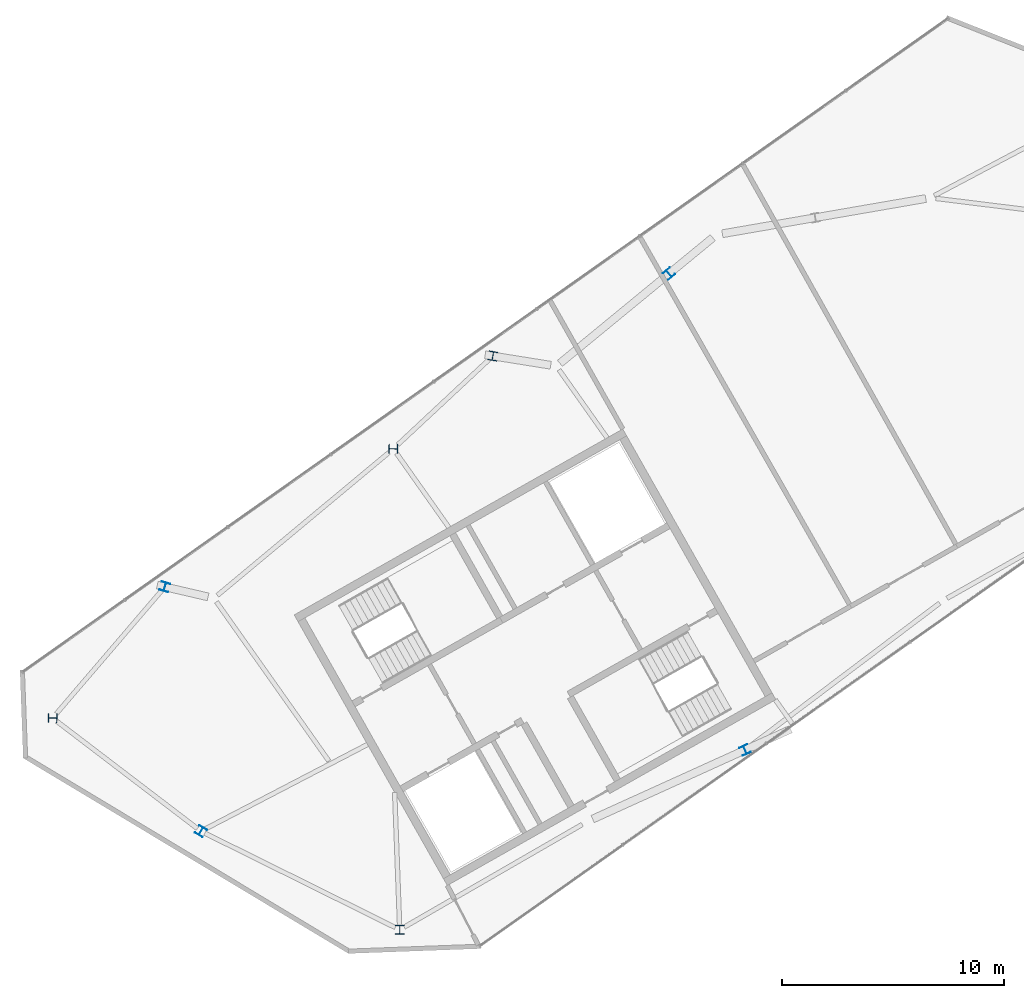
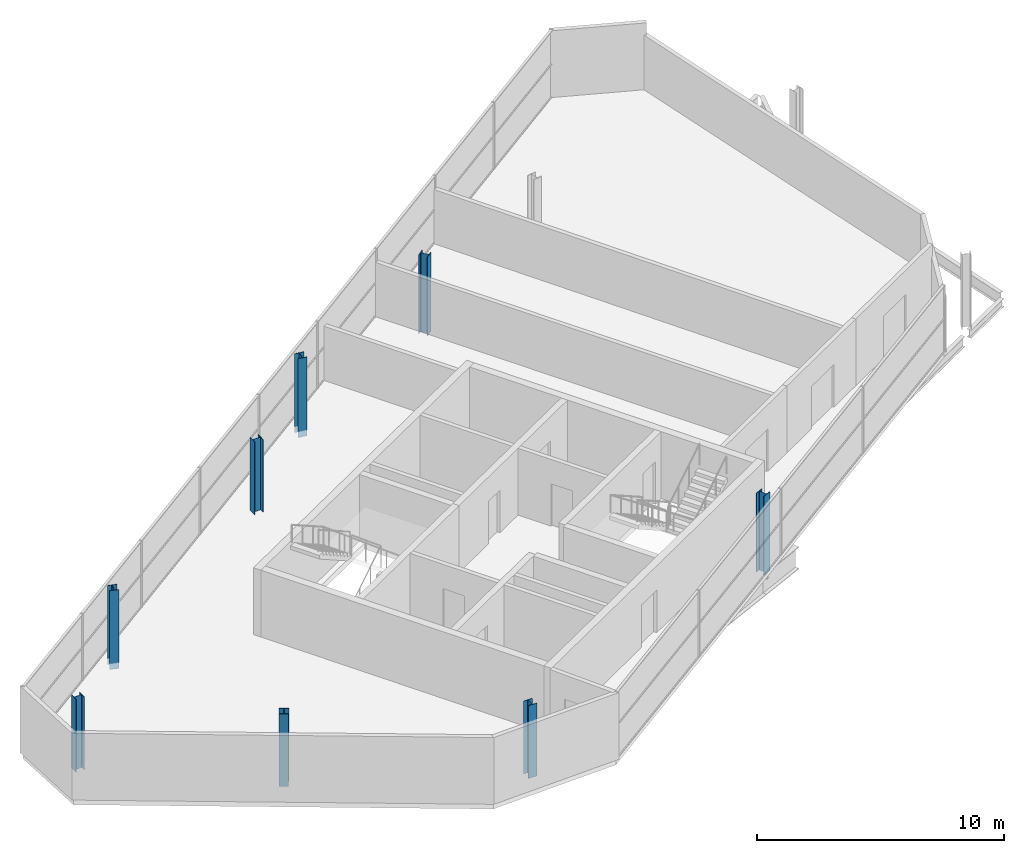
# One storey, part 1 of 11: 8 columns.
"""IFC4 building model written with IfcOpenShell, lengths in metres."""

from ifc_helpers import new_model, si_unit, direction, frame, origin, origin_2d, place, context, subcontext, project, spatial, i_section, extrude, material, material_profile, profile_set, type_object, element, save


model = new_model("IFC4")

# Units and contexts
model_context = context("Model", 3, precision=1e-05, world=origin(), true_north=direction((0.0, 1.0)))
body_context = subcontext(model_context, "Body", "Model", "MODEL_VIEW")
ifc_project = project(units=[si_unit("LENGTHUNIT", "METRE"), si_unit("AREAUNIT", "SQUARE_METRE"), si_unit("VOLUMEUNIT", "CUBIC_METRE"), si_unit("PLANEANGLEUNIT", "RADIAN"), si_unit("MASSUNIT", "GRAM", prefix="KILO")], contexts=[model_context])

# Site, building, storey
site_placement = place(None, origin())
site = spatial("IfcSite", under=ifc_project, at=site_placement, CompositionType="ELEMENT")
building_placement = place(site_placement, origin())
building = spatial("IfcBuilding", under=site, at=building_placement, Name="Binnacle Exchange Tower", CompositionType="ELEMENT")
storey_placement = place(building_placement, frame((0.0, 0.0, 361.300048828125)))
storey = spatial("IfcBuildingStorey", under=building, at=storey_placement, Name="L83", CompositionType="ELEMENT", Elevation=361.300048828125)

# Columns
ifc_material = material(Name="Steel S355 (SHN355)", Category="steel")
ifc_material_profile = material_profile(ifc_material, i_section(OverallWidth=0.39990234375, OverallDepth=0.39990234375, WebThickness=0.012939453125, FlangeThickness=0.02099609375, FilletRadius=0.02197265625, at=origin_2d()), Name="H 400x400x13x21")
ifc_profile_set = profile_set([ifc_material_profile], Name="Steel S355 (SHN355)")
column_type = type_object("IfcColumnType", Name="H 400x400x13x21", PredefinedType="COLUMN", material=ifc_profile_set)
for number, where, z_axis, x_axis, name in (
    (1, (-57.492919921875, 37.02734375, 0.0), (0.0, 0.0, 1.0), (-0.013089595571, -0.999914327574, 0.0), "S:COL:MC02:L83"),
    (2, (-50.81201171875, 31.930908203125, 0.0), (0.0, 0.0, 1.0), (0.857167300702, -0.51503807491, 0.0), "S:COL:MC01:L83"),
    (3, (-41.857666015625, 27.494873046875, 0.0), (0.0, 0.0, 1.0), (0.999914327574, -0.013089595571, 0.0), "S:COL:MC03:L83"),
    (4, (-42.144287109375, 49.15283203125, 0.0), (0.0, 0.0, 1.0), (0.017539659542, 0.999846168339, 0.0), "S:COL:MC10:L83"),
):
    element("IfcColumn", number, at=place(storey_placement, frame(where, z_axis=z_axis, x_axis=x_axis)), inside=storey, type_object=column_type, Name=name, PredefinedType="COLUMN", context=body_context, shape_type="SweptSolid", body=[
        extrude(i_section(OverallWidth=0.39990234375, OverallDepth=0.39990234375, WebThickness=0.012939453125, FlangeThickness=0.02099609375, FilletRadius=0.02197265625, at=origin_2d()), origin(), (0.0, 0.0, 1.0), 3.599853515625),
    ])
for number, where, z_axis, x_axis, name in (
    (5, (-29.729248046875, 57.04150390625, -0.300048828125), (0.0, 0.0, 1.0), (-0.772556293173, -0.634946276372, 0.0), "S:COL:MC19:L83"),
    (6, (-37.6640625, 53.333740234375, -0.300048828125), (0.0, 0.0, 1.0), (-0.987457934314, 0.157882323139, 0.0), "S:COL:MC12:L83"),
    (7, (-52.434814453125, 42.936279296875, -0.300048828125), (0.0, 0.0, 1.0), (-0.959170945813, 0.282826973092, 0.0), "S:COL:MC05:L83"),
    (8, (-26.30517578125, 35.59130859375, -0.300048828125), (0.0, 0.0, 1.0), (0.910705289655, 0.413056745973, 0.0), "S:COL:MC09:L83"),
):
    element("IfcColumn", number, at=place(storey_placement, frame(where, z_axis=z_axis, x_axis=x_axis)), inside=storey, type_object=column_type, Name=name, PredefinedType="COLUMN", context=body_context, shape_type="SweptSolid", body=[
        extrude(i_section(OverallWidth=0.39990234375, OverallDepth=0.39990234375, WebThickness=0.012939453125, FlangeThickness=0.02099609375, FilletRadius=0.02197265625, at=origin_2d()), origin(), (0.0, 0.0, 1.0), 3.89990234375),
    ])

save(model, "model.ifc")
